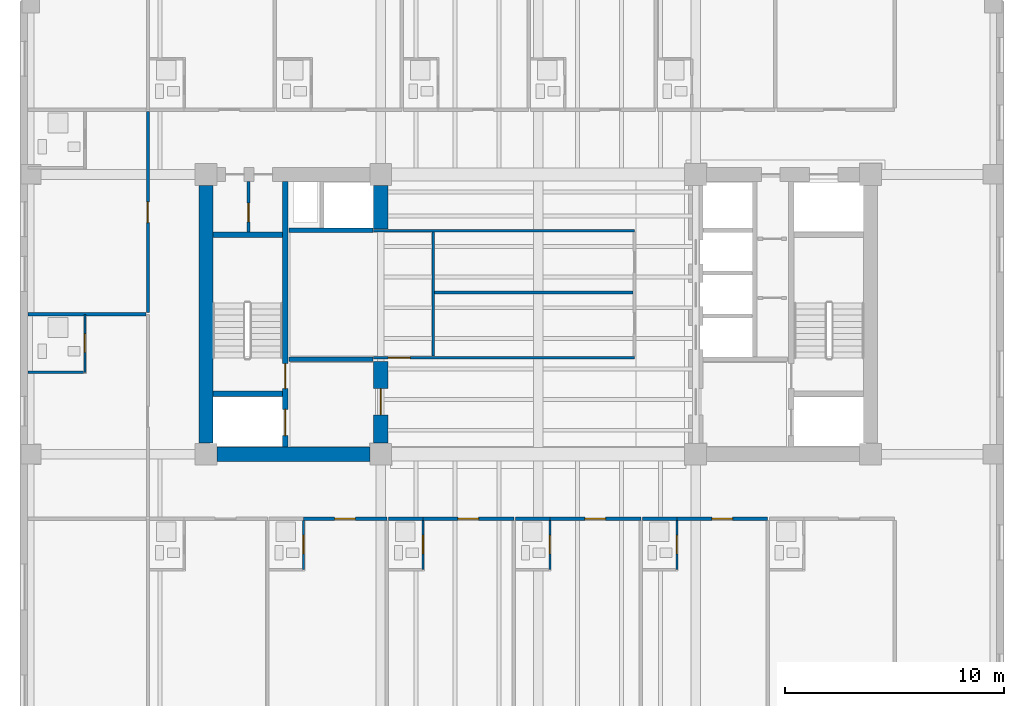
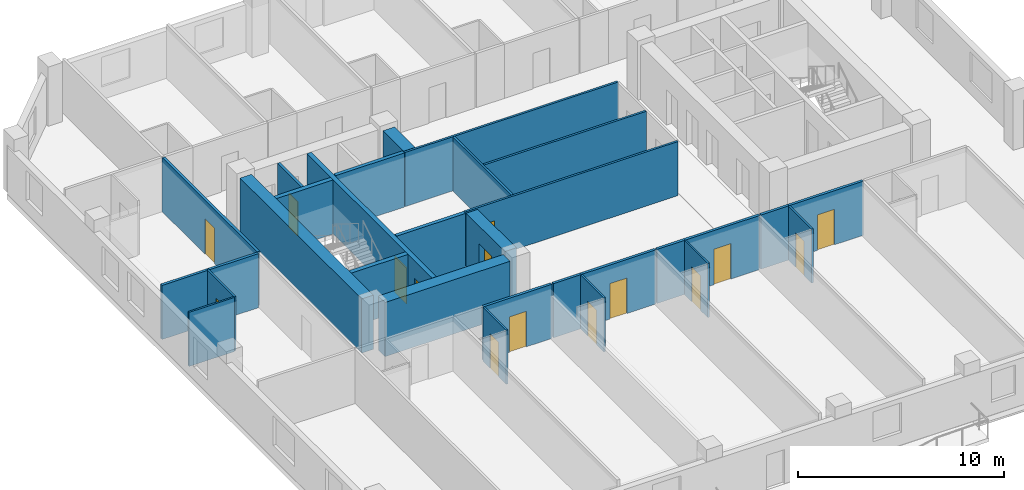
# One storey, part 3 of 11: 29 walls, 15 doors, 15 openings.
"""IFC4 building model written with IfcOpenShell, lengths in metres."""

from ifc_helpers import new_model, si_unit, direction, frame, frame_2d, origin, place, context, subcontext, project, spatial, rectangle, extrude, material, layer, layer_set, type_object, element, fill, save


model = new_model("IFC4")

# Units and contexts
model_context = context("Model", 3, precision=1e-05, world=origin(), true_north=direction((0.0, 1.0)))
body_context = subcontext(model_context, "Body", "Model", "MODEL_VIEW")
ifc_project = project(units=[si_unit("LENGTHUNIT", "METRE"), si_unit("AREAUNIT", "SQUARE_METRE"), si_unit("VOLUMEUNIT", "CUBIC_METRE"), si_unit("PLANEANGLEUNIT", "RADIAN"), si_unit("MASSUNIT", "GRAM", prefix="KILO")], contexts=[model_context])

# Site, building, storey
site_placement = place(None, origin())
site = spatial("IfcSite", under=ifc_project, at=site_placement, CompositionType="ELEMENT")
building_placement = place(site_placement, origin())
building = spatial("IfcBuilding", under=site, at=building_placement, Name="Kranthara Brick Stack", CompositionType="ELEMENT")
storey_placement = place(building_placement, frame((0.0, 0.0, 134.300048828125)))
storey = spatial("IfcBuildingStorey", under=building, at=storey_placement, Name="L33", CompositionType="ELEMENT", Elevation=134.300048828125)

# Wall, openings, doors
ifc_material_1 = material(Name="Concrete C50/60", Category="concrete")
ifc_layer_1 = layer(ifc_material_1, 0.25)
ifc_layer_set_1 = layer_set([ifc_layer_1], Name="Concrete C50/60")
wall_type_1 = type_object("IfcWallType", Name="WL-CORE-250", PredefinedType="SHEAR", material=ifc_layer_set_1)
wall_1_placement = place(storey_placement, frame((16.43505859375, 21.135009765625, 0.0), z_axis=(0.0, 0.0, 1.0), x_axis=(0.0, 1.0, 0.0)))
wall_1 = element("IfcWall", 1, at=wall_1_placement, inside=storey, type_object=wall_type_1, Name="L33 West Core Stair Bearing Spine Wall", PredefinedType="SHEAR", context=body_context, shape_type="SweptSolid", body=[
    extrude(rectangle(XDim=12.1298828125, YDim=0.25, at=frame_2d((6.06494140625, 0.0))), origin(), (0.0, 0.0, 1.0), 3.199951171875),
])
opening_1_placement = place(wall_1_placement, frame((0.514892578125, 0.0, 0.0)))
opening_1 = element("IfcOpeningElement", 2, at=opening_1_placement, cuts=wall_1, Name="Opening LD01", PredefinedType="OPENING", context=body_context, shape_type="SweptSolid", body=[
    extrude(rectangle(XDim=1.199951171875, YDim=2.14990234375, at=frame_2d((0.60009765625, 1.074951171875))), frame((0.0, 0.135009765625, 0.0), z_axis=(0.0, -1.0, 0.0), x_axis=(1.0, 0.0, 0.0)), (0.0, 0.0, 1.0), 0.27001953125),
])
opening_2_placement = place(wall_1_placement, frame((2.6650390625, 0.0, 0.0)))
opening_2 = element("IfcOpeningElement", 3, at=opening_2_placement, cuts=wall_1, Name="Opening D05", PredefinedType="OPENING", context=body_context, shape_type="SweptSolid", body=[
    extrude(rectangle(XDim=1.14990234375, YDim=2.14990234375, at=frame_2d((0.574951171875, 1.074951171875))), frame((0.0, 0.135009765625, 0.0), z_axis=(0.0, -1.0, 0.0), x_axis=(1.0, 0.0, 0.0)), (0.0, 0.0, 1.0), 0.27001953125),
])
ifc_material_2 = material(Name="Stainless steel sliding landing door", Category="steel")
door_type_1 = type_object("IfcDoorType", Name="DR-LD-FF1200", OperationType="DOUBLE_DOOR_SLIDING", PredefinedType="DOOR", material=ifc_material_2)
door_1_placement = place(opening_1_placement, origin())
door_1 = element("IfcDoor", 4, at=door_1_placement, inside=storey, type_object=door_type_1, Name="L33 Firefighting Lift FF-01 Landing Door", OperationType="DOUBLE_DOOR_SLIDING", OverallHeight=2.14990234375, OverallWidth=1.199951171875, PredefinedType="DOOR", context=body_context, shape_type="SweptSolid", body=[
    extrude(rectangle(XDim=1.199951171875, YDim=2.14990234375, at=frame_2d((0.60009765625, 1.074951171875))), frame((0.0, 0.02490234375, 0.0), z_axis=(0.0, -1.0, 0.0), x_axis=(1.0, 0.0, 0.0)), (0.0, 0.0, 1.0), 0.050048828125),
])
fill(opening_1, door_1)
ifc_material_3 = material(Name="Solid-core hardwood timber leaf in steel frame", Category="steel")
door_type_2 = type_object("IfcDoorType", Name="DR-ST-1150", OperationType="NOTDEFINED", PredefinedType="DOOR", material=ifc_material_3)
door_2_placement = place(opening_2_placement, origin())
door_2 = element("IfcDoor", 5, at=door_2_placement, inside=storey, type_object=door_type_2, Name="L33 Exit Stair ST01 Door", OperationType="SINGLE_SWING_RIGHT", OverallHeight=2.14990234375, OverallWidth=1.14990234375, PredefinedType="DOOR", context=body_context, shape_type="SweptSolid", body=[
    extrude(rectangle(XDim=1.14990234375, YDim=2.14990234375, at=frame_2d((0.574951171875, 1.074951171875))), frame((0.0, 0.02490234375, 0.0), z_axis=(0.0, -1.0, 0.0), x_axis=(1.0, 0.0, 0.0)), (0.0, 0.0, 1.0), 0.050048828125),
])
fill(opening_2, door_2)

# Walls
for number, where, z_axis, x_axis, name in (
    (6, (13.135009765625, 23.570068359375, 0.0), (0.0, 0.0, 1.0), (1.0, 0.0, 0.0), "L33 West Stairwell Bearing Wall WFF"),
    (7, (13.135009765625, 30.830078125, 0.0), (0.0, 0.0, 1.0), (1.0, 0.0, 0.0), "L33 West Stairwell Bearing Wall WST"),
):
    element("IfcWall", number, at=place(storey_placement, frame(where, z_axis=z_axis, x_axis=x_axis)), inside=storey, type_object=wall_type_1, Name=name, PredefinedType="SHEAR", context=body_context, shape_type="SweptSolid", body=[
        extrude(rectangle(XDim=3.175048828125, YDim=0.25, at=frame_2d((1.58740234375, 0.0))), origin(), (0.0, 0.0, 1.0), 3.199951171875),
    ])
ifc_material_4 = material(Name="Concrete C60/75", Category="concrete")
ifc_layer_2 = layer(ifc_material_4, 0.64990234375)
ifc_layer_set_2 = layer_set([ifc_layer_2], Name="Concrete C60/75")
wall_type_2 = type_object("IfcWallType", Name="WL-CORE-650", PredefinedType="SHEAR", material=ifc_layer_set_2)
wall_2_placement = place(storey_placement, frame((12.800048828125, 21.304931640625, 0.0), z_axis=(0.0, 0.0, 1.0), x_axis=(0.0, 1.0, 0.0)))
element("IfcWall", 8, at=wall_2_placement, inside=storey, type_object=wall_type_2, Name="L33 West Core Shear Wall West", PredefinedType="SHEAR", context=body_context, shape_type="SweptSolid", body=[
    extrude(rectangle(XDim=11.7900390625, YDim=0.64990234375, at=frame_2d((5.89501953125, 0.0))), origin(), (0.0, 0.0, 1.0), 3.199951171875),
])
wall_3_placement = place(storey_placement, frame((13.304931640625, 20.800048828125, 0.0), z_axis=(0.0, 0.0, 1.0), x_axis=(1.0, 0.0, 0.0)))
element("IfcWall", 9, at=wall_3_placement, inside=storey, type_object=wall_type_2, Name="L33 West Core Shear Wall South", PredefinedType="SHEAR", context=body_context, shape_type="SweptSolid", body=[
    extrude(rectangle(XDim=6.989990234375, YDim=0.64990234375, at=frame_2d((3.4951171875, 0.0))), origin(), (0.0, 0.0, 1.0), 3.199951171875),
])

# Wall, opening, door
wall_4_placement = place(storey_placement, frame((20.800048828125, 21.304931640625, 0.0), z_axis=(0.0, 0.0, 1.0), x_axis=(0.0, 1.0, 0.0)))
wall_4 = element("IfcWall", 10, at=wall_4_placement, inside=storey, type_object=wall_type_2, Name="L33 West Core Lobby Shear Wall", PredefinedType="SHEAR", context=body_context, shape_type="SweptSolid", body=[
    extrude(rectangle(XDim=3.7451171875, YDim=0.64990234375, at=frame_2d((1.87255859375, 0.0))), origin(), (0.0, 0.0, 1.0), 3.199951171875),
])
opening_3_placement = place(wall_4_placement, frame((1.294921875, 0.0, 0.0)))
opening_3 = element("IfcOpeningElement", 11, at=opening_3_placement, cuts=wall_4, Name="Opening D06", PredefinedType="OPENING", context=body_context, shape_type="SweptSolid", body=[
    extrude(rectangle(XDim=1.199951171875, YDim=2.14990234375, at=frame_2d((0.60009765625, 1.074951171875))), frame((0.0, 0.3349609375, 0.0), z_axis=(0.0, -1.0, 0.0), x_axis=(1.0, 0.0, 0.0)), (0.0, 0.0, 1.0), 0.669921875),
])
ifc_material_5 = material(Name="Solid-core hardwood timber leaf in steel frame", Category="steel")
door_type_3 = type_object("IfcDoorType", Name="DR-FFL-1200", OperationType="NOTDEFINED", PredefinedType="DOOR", material=ifc_material_5)
door_3_placement = place(opening_3_placement, origin())
door_3 = element("IfcDoor", 12, at=door_3_placement, inside=storey, type_object=door_type_3, Name="L33 West Firefighting Lobby Door", OperationType="SINGLE_SWING_LEFT", OverallHeight=2.14990234375, OverallWidth=1.199951171875, PredefinedType="DOOR", context=body_context, shape_type="SweptSolid", body=[
    extrude(rectangle(XDim=1.199951171875, YDim=2.14990234375, at=frame_2d((0.60009765625, 1.074951171875))), frame((0.0, 0.02490234375, 0.0), z_axis=(0.0, -1.0, 0.0), x_axis=(1.0, 0.0, 0.0)), (0.0, 0.0, 1.0), 0.050048828125),
])
fill(opening_3, door_3)

# Wall
wall_5_placement = place(storey_placement, frame((20.800048828125, 31.10009765625, 0.0), z_axis=(0.0, 0.0, 1.0), x_axis=(0.0, 1.0, 0.0)))
element("IfcWall", 13, at=wall_5_placement, inside=storey, type_object=wall_type_2, Name="L33 West Core High-Rise Lift Wall", PredefinedType="SHEAR", context=body_context, shape_type="SweptSolid", body=[
    extrude(rectangle(XDim=1.994873046875, YDim=0.64990234375, at=frame_2d((0.99755859375, 0.0))), origin(), (0.0, 0.0, 1.0), 3.199951171875),
])

# Wall, opening, door
ifc_material_6 = material(Name="Moisture-resistant wet-room partition", Category="other")
ifc_layer_3 = layer(ifc_material_6, 0.10009765625)
ifc_layer_set_3 = layer_set([ifc_layer_3], Name="Moisture-resistant wet-room partition")
wall_type_3 = type_object("IfcWallType", Name="WL-PART-100", PredefinedType="PARTITIONING", material=ifc_layer_set_3)
wall_6_placement = place(storey_placement, frame((17.263916015625, 15.52001953125, 0.0), z_axis=(0.0, 0.0, 1.0), x_axis=(0.0, 1.0, 0.0)))
wall_6 = element("IfcWall", 14, at=wall_6_placement, inside=storey, type_object=wall_type_3, Name="L33 Interior Partition 017", PredefinedType="PARTITIONING", context=body_context, shape_type="SweptSolid", body=[
    extrude(rectangle(XDim=2.25, YDim=0.10009765625, at=frame_2d((1.125, 0.0))), origin(), (0.0, 0.0, 1.0), 3.199951171875),
])
opening_4_placement = place(wall_6_placement, frame((0.719970703125, 0.0, 0.0)))
opening_4 = element("IfcOpeningElement", 15, at=opening_4_placement, cuts=wall_6, Name="Opening D17", PredefinedType="OPENING", context=body_context, shape_type="SweptSolid", body=[
    extrude(rectangle(XDim=0.85009765625, YDim=2.050048828125, at=frame_2d((0.425048828125, 1.02490234375))), frame((0.0, 0.06005859375, 0.0), z_axis=(0.0, -1.0, 0.0), x_axis=(1.0, 0.0, 0.0)), (0.0, 0.0, 1.0), 0.1201171875),
])
ifc_material_7 = material(Name="Solid-core hardwood timber leaf in steel frame", Category="steel")
door_type_4 = type_object("IfcDoorType", Name="DR-WET-850", OperationType="NOTDEFINED", PredefinedType="DOOR", material=ifc_material_7)
door_4_placement = place(opening_4_placement, origin())
door_4 = element("IfcDoor", 16, at=door_4_placement, inside=storey, type_object=door_type_4, Name="L33 Key 02 En-Suite Door 09", OperationType="SINGLE_SWING_LEFT", OverallHeight=2.050048828125, OverallWidth=0.85009765625, PredefinedType="DOOR", context=body_context, shape_type="SweptSolid", body=[
    extrude(rectangle(XDim=0.85009765625, YDim=2.050048828125, at=frame_2d((0.425048828125, 1.02490234375))), frame((0.0, 0.02490234375, 0.0), z_axis=(0.0, -1.0, 0.0), x_axis=(1.0, 0.0, 0.0)), (0.0, 0.0, 1.0), 0.050048828125),
])
fill(opening_4, door_4)

wall_7_placement = place(storey_placement, frame((22.72802734375, 15.52001953125, 0.0), z_axis=(0.0, 0.0, 1.0), x_axis=(0.0, 1.0, 0.0)))
wall_7 = element("IfcWall", 17, at=wall_7_placement, inside=storey, type_object=wall_type_3, Name="L33 Interior Partition 022", PredefinedType="PARTITIONING", context=body_context, shape_type="SweptSolid", body=[
    extrude(rectangle(XDim=2.25, YDim=0.10009765625, at=frame_2d((1.125, 0.0))), origin(), (0.0, 0.0, 1.0), 3.199951171875),
])
opening_5_placement = place(wall_7_placement, frame((0.719970703125, 0.0, 0.0)))
opening_5 = element("IfcOpeningElement", 18, at=opening_5_placement, cuts=wall_7, Name="Opening D17", PredefinedType="OPENING", context=body_context, shape_type="SweptSolid", body=[
    extrude(rectangle(XDim=0.85009765625, YDim=2.050048828125, at=frame_2d((0.425048828125, 1.02490234375))), frame((0.0, 0.06005859375, 0.0), z_axis=(0.0, -1.0, 0.0), x_axis=(1.0, 0.0, 0.0)), (0.0, 0.0, 1.0), 0.1201171875),
])
door_5_placement = place(opening_5_placement, origin())
door_5 = element("IfcDoor", 19, at=door_5_placement, inside=storey, type_object=door_type_4, Name="L33 Key 03 En-Suite Door 11", OperationType="SINGLE_SWING_LEFT", OverallHeight=2.050048828125, OverallWidth=0.85009765625, PredefinedType="DOOR", context=body_context, shape_type="SweptSolid", body=[
    extrude(rectangle(XDim=0.85009765625, YDim=2.050048828125, at=frame_2d((0.425048828125, 1.02490234375))), frame((0.0, 0.02490234375, 0.0), z_axis=(0.0, -1.0, 0.0), x_axis=(1.0, 0.0, 0.0)), (0.0, 0.0, 1.0), 0.050048828125),
])
fill(opening_5, door_5)

wall_8_placement = place(storey_placement, frame((28.532958984375, 15.52001953125, 0.0), z_axis=(0.0, 0.0, 1.0), x_axis=(0.0, 1.0, 0.0)))
wall_8 = element("IfcWall", 20, at=wall_8_placement, inside=storey, type_object=wall_type_3, Name="L33 Interior Partition 027", PredefinedType="PARTITIONING", context=body_context, shape_type="SweptSolid", body=[
    extrude(rectangle(XDim=2.25, YDim=0.10009765625, at=frame_2d((1.125, 0.0))), origin(), (0.0, 0.0, 1.0), 3.199951171875),
])
opening_6_placement = place(wall_8_placement, frame((0.719970703125, 0.0, 0.0)))
opening_6 = element("IfcOpeningElement", 21, at=opening_6_placement, cuts=wall_8, Name="Opening D17", PredefinedType="OPENING", context=body_context, shape_type="SweptSolid", body=[
    extrude(rectangle(XDim=0.85009765625, YDim=2.050048828125, at=frame_2d((0.425048828125, 1.02490234375))), frame((0.0, 0.06005859375, 0.0), z_axis=(0.0, -1.0, 0.0), x_axis=(1.0, 0.0, 0.0)), (0.0, 0.0, 1.0), 0.1201171875),
])
door_6_placement = place(opening_6_placement, origin())
door_6 = element("IfcDoor", 22, at=door_6_placement, inside=storey, type_object=door_type_4, Name="L33 Key 04 En-Suite Door 13", OperationType="SINGLE_SWING_LEFT", OverallHeight=2.050048828125, OverallWidth=0.85009765625, PredefinedType="DOOR", context=body_context, shape_type="SweptSolid", body=[
    extrude(rectangle(XDim=0.85009765625, YDim=2.050048828125, at=frame_2d((0.425048828125, 1.02490234375))), frame((0.0, 0.02490234375, 0.0), z_axis=(0.0, -1.0, 0.0), x_axis=(1.0, 0.0, 0.0)), (0.0, 0.0, 1.0), 0.050048828125),
])
fill(opening_6, door_6)

wall_9_placement = place(storey_placement, frame((34.339111328125, 15.52001953125, 0.0), z_axis=(0.0, 0.0, 1.0), x_axis=(0.0, 1.0, 0.0)))
wall_9 = element("IfcWall", 23, at=wall_9_placement, inside=storey, type_object=wall_type_3, Name="L33 Interior Partition 032", PredefinedType="PARTITIONING", context=body_context, shape_type="SweptSolid", body=[
    extrude(rectangle(XDim=2.25, YDim=0.10009765625, at=frame_2d((1.125, 0.0))), origin(), (0.0, 0.0, 1.0), 3.199951171875),
])
opening_7_placement = place(wall_9_placement, frame((0.719970703125, 0.0, 0.0)))
opening_7 = element("IfcOpeningElement", 24, at=opening_7_placement, cuts=wall_9, Name="Opening D17", PredefinedType="OPENING", context=body_context, shape_type="SweptSolid", body=[
    extrude(rectangle(XDim=0.85009765625, YDim=2.050048828125, at=frame_2d((0.425048828125, 1.02490234375))), frame((0.0, 0.06005859375, 0.0), z_axis=(0.0, -1.0, 0.0), x_axis=(1.0, 0.0, 0.0)), (0.0, 0.0, 1.0), 0.1201171875),
])
door_7_placement = place(opening_7_placement, origin())
door_7 = element("IfcDoor", 25, at=door_7_placement, inside=storey, type_object=door_type_4, Name="L33 Key 05 En-Suite Door 15", OperationType="SINGLE_SWING_LEFT", OverallHeight=2.050048828125, OverallWidth=0.85009765625, PredefinedType="DOOR", context=body_context, shape_type="SweptSolid", body=[
    extrude(rectangle(XDim=0.85009765625, YDim=2.050048828125, at=frame_2d((0.425048828125, 1.02490234375))), frame((0.0, 0.02490234375, 0.0), z_axis=(0.0, -1.0, 0.0), x_axis=(1.0, 0.0, 0.0)), (0.0, 0.0, 1.0), 0.050048828125),
])
fill(opening_7, door_7)

wall_10_placement = place(storey_placement, frame((7.27001953125, 24.550048828125, 0.0), z_axis=(0.0, 0.0, 1.0), x_axis=(0.0, 1.0, 0.0)))
wall_10 = element("IfcWall", 26, at=wall_10_placement, inside=storey, type_object=wall_type_3, Name="L33 Interior Partition 071", PredefinedType="PARTITIONING", context=body_context, shape_type="SweptSolid", body=[
    extrude(rectangle(XDim=2.64990234375, YDim=0.10009765625, at=frame_2d((1.324951171875, 0.0))), origin(), (0.0, 0.0, 1.0), 3.199951171875),
])
opening_8_placement = place(wall_10_placement, frame((0.905029296875, 0.0, 0.0)))
opening_8 = element("IfcOpeningElement", 27, at=opening_8_placement, cuts=wall_10, Name="Opening D17", PredefinedType="OPENING", context=body_context, shape_type="SweptSolid", body=[
    extrude(rectangle(XDim=0.85009765625, YDim=2.050048828125, at=frame_2d((0.425048828125, 1.02490234375))), frame((0.0, 0.06005859375, 0.0), z_axis=(0.0, -1.0, 0.0), x_axis=(1.0, 0.0, 0.0)), (0.0, 0.0, 1.0), 0.1201171875),
])
door_8_placement = place(opening_8_placement, origin())
door_8 = element("IfcDoor", 28, at=door_8_placement, inside=storey, type_object=door_type_4, Name="L33 West Key 13 Bath 30", OperationType="SINGLE_SWING_RIGHT", OverallHeight=2.050048828125, OverallWidth=0.85009765625, PredefinedType="DOOR", context=body_context, shape_type="SweptSolid", body=[
    extrude(rectangle(XDim=0.85009765625, YDim=2.050048828125, at=frame_2d((0.425048828125, 1.02490234375))), frame((0.0, 0.02490234375, 0.0), z_axis=(0.0, -1.0, 0.0), x_axis=(1.0, 0.0, 0.0)), (0.0, 0.0, 1.0), 0.050048828125),
])
fill(opening_8, door_8)

# Wall
wall_11_placement = place(storey_placement, frame((4.675048828125, 24.550048828125, 0.0), z_axis=(0.0, 0.0, 1.0), x_axis=(1.0, 0.0, 0.0)))
element("IfcWall", 29, at=wall_11_placement, inside=storey, type_object=wall_type_3, Name="L33 Interior Partition 072", PredefinedType="PARTITIONING", context=body_context, shape_type="SweptSolid", body=[
    extrude(rectangle(XDim=2.5400390625, YDim=0.10009765625, at=frame_2d((1.27001953125, 0.0))), origin(), (0.0, 0.0, 1.0), 3.199951171875),
])

# Wall, opening, door
ifc_material_8 = material(Name="Acoustic gypsum plasterboard partition", Category="other")
ifc_layer_4 = layer(ifc_material_8, 0.1201171875)
ifc_layer_set_4 = layer_set([ifc_layer_4], Name="Acoustic gypsum plasterboard partition")
wall_type_4 = type_object("IfcWallType", Name="WL-PART-120", PredefinedType="PARTITIONING", material=ifc_layer_set_4)
wall_12_placement = place(storey_placement, frame((20.4599609375, 25.219970703125, 0.0), z_axis=(0.0, 0.0, 1.0), x_axis=(1.0, 0.0, 0.0)))
wall_12 = element("IfcWall", 30, at=wall_12_placement, inside=storey, type_object=wall_type_4, Name="L33 Interior Partition 004", PredefinedType="PARTITIONING", context=body_context, shape_type="SweptSolid", body=[
    extrude(rectangle(XDim=11.93994140625, YDim=0.1201171875, at=frame_2d((5.969970703125, 0.0))), origin(), (0.0, 0.0, 1.0), 3.199951171875),
])
opening_9_placement = place(wall_12_placement, frame((0.679931640625, 0.0, 0.0)))
opening_9 = element("IfcOpeningElement", 31, at=opening_9_placement, cuts=wall_12, Name="Opening D13", PredefinedType="OPENING", context=body_context, shape_type="SweptSolid", body=[
    extrude(rectangle(XDim=1.0, YDim=2.10009765625, at=frame_2d((0.5, 1.050048828125))), frame((0.0, 0.070068359375, 0.0), z_axis=(0.0, -1.0, 0.0), x_axis=(1.0, 0.0, 0.0)), (0.0, 0.0, 1.0), 0.14013671875),
])
ifc_material_9 = material(Name="Solid-core hardwood timber leaf in steel frame", Category="steel")
door_type_5 = type_object("IfcDoorType", Name="DR-INT-1000", OperationType="NOTDEFINED", PredefinedType="DOOR", material=ifc_material_9)
door_9_placement = place(opening_9_placement, origin())
door_9 = element("IfcDoor", 32, at=door_9_placement, inside=storey, type_object=door_type_5, Name="L33 Hotel Study Door 04", OperationType="SINGLE_SWING_RIGHT", OverallHeight=2.10009765625, OverallWidth=1.0, PredefinedType="DOOR", context=body_context, shape_type="SweptSolid", body=[
    extrude(rectangle(XDim=1.0, YDim=2.10009765625, at=frame_2d((0.5, 1.050048828125))), frame((0.0, 0.02490234375, 0.0), z_axis=(0.0, -1.0, 0.0), x_axis=(1.0, 0.0, 0.0)), (0.0, 0.0, 1.0), 0.050048828125),
])
fill(opening_9, door_9)

# Walls
wall_13_placement = place(storey_placement, frame((20.4599609375, 31.02001953125, 0.0), z_axis=(0.0, 0.0, 1.0), x_axis=(1.0, 0.0, 0.0)))
element("IfcWall", 33, at=wall_13_placement, inside=storey, type_object=wall_type_4, Name="L33 Interior Partition 005", PredefinedType="PARTITIONING", context=body_context, shape_type="SweptSolid", body=[
    extrude(rectangle(XDim=11.93994140625, YDim=0.1201171875, at=frame_2d((5.969970703125, 0.0))), origin(), (0.0, 0.0, 1.0), 3.199951171875),
])
wall_14_placement = place(storey_placement, frame((23.199951171875, 25.284912109375, 0.0), z_axis=(0.0, 0.0, 1.0), x_axis=(0.0, 1.0, 0.0)))
element("IfcWall", 34, at=wall_14_placement, inside=storey, type_object=wall_type_4, Name="L33 Interior Partition 007", PredefinedType="PARTITIONING", context=body_context, shape_type="SweptSolid", body=[
    extrude(rectangle(XDim=5.670166015625, YDim=0.1201171875, at=frame_2d((2.8349609375, 0.0))), origin(), (0.0, 0.0, 1.0), 3.199951171875),
])
wall_15_placement = place(storey_placement, frame((23.264892578125, 28.199951171875, 0.0), z_axis=(0.0, 0.0, 1.0), x_axis=(1.0, 0.0, 0.0)))
element("IfcWall", 35, at=wall_15_placement, inside=storey, type_object=wall_type_4, Name="L33 Interior Partition 008", PredefinedType="PARTITIONING", context=body_context, shape_type="SweptSolid", body=[
    extrude(rectangle(XDim=9.070068359375, YDim=0.1201171875, at=frame_2d((4.53515625, 0.0))), origin(), (0.0, 0.0, 1.0), 3.199951171875),
])

# Wall, opening, door
ifc_material_10 = material(Name="Fire-rated gypsum board partition", Category="other")
ifc_layer_5 = layer(ifc_material_10, 0.14990234375)
ifc_layer_set_5 = layer_set([ifc_layer_5], Name="Fire-rated gypsum board partition")
wall_type_5 = type_object("IfcWallType", Name="WL-PART-150", PredefinedType="PARTITIONING", material=ifc_layer_set_5)
wall_16_placement = place(storey_placement, frame((14.75, 30.9599609375, 0.0), z_axis=(0.0, 0.0, 1.0), x_axis=(0.0, 1.0, 0.0)))
wall_16 = element("IfcWall", 36, at=wall_16_placement, inside=storey, type_object=wall_type_5, Name="L33 Interior Partition 001", PredefinedType="PARTITIONING", context=body_context, shape_type="SweptSolid", body=[
    extrude(rectangle(XDim=2.31005859375, YDim=0.14990234375, at=frame_2d((1.155029296875, 0.0))), origin(), (0.0, 0.0, 1.0), 3.199951171875),
])
opening_10_placement = place(wall_16_placement, frame((0.469970703125, 0.0, 0.0)))
opening_10 = element("IfcOpeningElement", 37, at=opening_10_placement, cuts=wall_16, Name="Opening D10", PredefinedType="OPENING", context=body_context, shape_type="SweptSolid", body=[
    extrude(rectangle(XDim=0.85009765625, YDim=2.02001953125, at=frame_2d((0.425048828125, 1.010009765625))), frame((0.0, 0.0849609375, 0.0), z_axis=(0.0, -1.0, 0.0), x_axis=(1.0, 0.0, 0.0)), (0.0, 0.0, 1.0), 0.169921875),
])
ifc_material_11 = material(Name="Solid-core hardwood timber leaf in steel frame", Category="steel")
door_type_6 = type_object("IfcDoorType", Name="DR-RSR-850", OperationType="NOTDEFINED", PredefinedType="DOOR", material=ifc_material_11)
door_10_placement = place(opening_10_placement, origin())
door_10 = element("IfcDoor", 38, at=door_10_placement, inside=storey, type_object=door_type_6, Name="L33 Service Interconnect 01", OperationType="SINGLE_SWING_LEFT", OverallHeight=2.02001953125, OverallWidth=0.85009765625, PredefinedType="DOOR", context=body_context, shape_type="SweptSolid", body=[
    extrude(rectangle(XDim=0.85009765625, YDim=2.02001953125, at=frame_2d((0.425048828125, 1.010009765625))), frame((0.0, 0.02490234375, 0.0), z_axis=(0.0, -1.0, 0.0), x_axis=(1.0, 0.0, 0.0)), (0.0, 0.0, 1.0), 0.050048828125),
])
fill(opening_10, door_10)

wall_17_placement = place(storey_placement, frame((17.263916015625, 17.85009765625, 0.0), z_axis=(0.0, 0.0, 1.0), x_axis=(1.0, 0.0, 0.0)))
wall_17 = element("IfcWall", 39, at=wall_17_placement, inside=storey, type_object=wall_type_5, Name="L33 Interior Partition 016", PredefinedType="PARTITIONING", context=body_context, shape_type="SweptSolid", body=[
    extrude(rectangle(XDim=3.81396484375, YDim=0.14990234375, at=frame_2d((1.906982421875, 0.0))), origin(), (0.0, 0.0, 1.0), 3.199951171875),
])
opening_11_placement = place(wall_17_placement, frame((1.427001953125, 0.0, 0.0)))
opening_11 = element("IfcOpeningElement", 40, at=opening_11_placement, cuts=wall_17, Name="Opening D09", PredefinedType="OPENING", context=body_context, shape_type="SweptSolid", body=[
    extrude(rectangle(XDim=0.949951171875, YDim=2.10009765625, at=frame_2d((0.47509765625, 1.050048828125))), frame((0.0, 0.0849609375, 0.0), z_axis=(0.0, -1.0, 0.0), x_axis=(1.0, 0.0, 0.0)), (0.0, 0.0, 1.0), 0.169921875),
])
ifc_material_12 = material(Name="Solid-core hardwood timber leaf in steel frame", Category="steel")
door_type_7 = type_object("IfcDoorType", Name="DR-FD-950", OperationType="NOTDEFINED", PredefinedType="DOOR", material=ifc_material_12)
door_11_placement = place(opening_11_placement, origin())
door_11 = element("IfcDoor", 41, at=door_11_placement, inside=storey, type_object=door_type_7, Name="L33 Key 02 Entry 10", OperationType="SINGLE_SWING_RIGHT", OverallHeight=2.10009765625, OverallWidth=0.949951171875, PredefinedType="DOOR", context=body_context, shape_type="SweptSolid", body=[
    extrude(rectangle(XDim=0.949951171875, YDim=2.10009765625, at=frame_2d((0.47509765625, 1.050048828125))), frame((0.0, 0.02490234375, 0.0), z_axis=(0.0, -1.0, 0.0), x_axis=(1.0, 0.0, 0.0)), (0.0, 0.0, 1.0), 0.050048828125),
])
fill(opening_11, door_11)

# Wall
wall_18_placement = place(storey_placement, frame((21.157958984375, 17.85009765625, 0.0), z_axis=(0.0, 0.0, 1.0), x_axis=(1.0, 0.0, 0.0)))
element("IfcWall", 42, at=wall_18_placement, inside=storey, type_object=wall_type_5, Name="L33 Interior Partition 020", PredefinedType="PARTITIONING", context=body_context, shape_type="SweptSolid", body=[
    extrude(rectangle(XDim=1.570068359375, YDim=0.14990234375, at=frame_2d((0.78515625, 0.0))), origin(), (0.0, 0.0, 1.0), 3.199951171875),
])

# Wall, opening, door
wall_19_placement = place(storey_placement, frame((22.72802734375, 17.85009765625, 0.0), z_axis=(0.0, 0.0, 1.0), x_axis=(1.0, 0.0, 0.0)))
wall_19 = element("IfcWall", 43, at=wall_19_placement, inside=storey, type_object=wall_type_5, Name="L33 Interior Partition 021", PredefinedType="PARTITIONING", context=body_context, shape_type="SweptSolid", body=[
    extrude(rectangle(XDim=4.155029296875, YDim=0.14990234375, at=frame_2d((2.07763671875, 0.0))), origin(), (0.0, 0.0, 1.0), 3.199951171875),
])
opening_12_placement = place(wall_19_placement, frame((1.596923828125, 0.0, 0.0)))
opening_12 = element("IfcOpeningElement", 44, at=opening_12_placement, cuts=wall_19, Name="Opening D09", PredefinedType="OPENING", context=body_context, shape_type="SweptSolid", body=[
    extrude(rectangle(XDim=0.949951171875, YDim=2.10009765625, at=frame_2d((0.47509765625, 1.050048828125))), frame((0.0, 0.0849609375, 0.0), z_axis=(0.0, -1.0, 0.0), x_axis=(1.0, 0.0, 0.0)), (0.0, 0.0, 1.0), 0.169921875),
])
door_12_placement = place(opening_12_placement, origin())
door_12 = element("IfcDoor", 45, at=door_12_placement, inside=storey, type_object=door_type_7, Name="L33 Key 03 Entry 12", OperationType="SINGLE_SWING_RIGHT", OverallHeight=2.10009765625, OverallWidth=0.949951171875, PredefinedType="DOOR", context=body_context, shape_type="SweptSolid", body=[
    extrude(rectangle(XDim=0.949951171875, YDim=2.10009765625, at=frame_2d((0.47509765625, 1.050048828125))), frame((0.0, 0.02490234375, 0.0), z_axis=(0.0, -1.0, 0.0), x_axis=(1.0, 0.0, 0.0)), (0.0, 0.0, 1.0), 0.050048828125),
])
fill(opening_12, door_12)

# Wall
wall_20_placement = place(storey_placement, frame((26.962890625, 17.85009765625, 0.0), z_axis=(0.0, 0.0, 1.0), x_axis=(1.0, 0.0, 0.0)))
element("IfcWall", 46, at=wall_20_placement, inside=storey, type_object=wall_type_5, Name="L33 Interior Partition 025", PredefinedType="PARTITIONING", context=body_context, shape_type="SweptSolid", body=[
    extrude(rectangle(XDim=1.570068359375, YDim=0.14990234375, at=frame_2d((0.78515625, 0.0))), origin(), (0.0, 0.0, 1.0), 3.199951171875),
])

# Wall, opening, door
wall_21_placement = place(storey_placement, frame((28.532958984375, 17.85009765625, 0.0), z_axis=(0.0, 0.0, 1.0), x_axis=(1.0, 0.0, 0.0)))
wall_21 = element("IfcWall", 47, at=wall_21_placement, inside=storey, type_object=wall_type_5, Name="L33 Interior Partition 026", PredefinedType="PARTITIONING", context=body_context, shape_type="SweptSolid", body=[
    extrude(rectangle(XDim=4.156005859375, YDim=0.14990234375, at=frame_2d((2.078125, 0.0))), origin(), (0.0, 0.0, 1.0), 3.199951171875),
])
opening_13_placement = place(wall_21_placement, frame((1.597900390625, 0.0, 0.0)))
opening_13 = element("IfcOpeningElement", 48, at=opening_13_placement, cuts=wall_21, Name="Opening D09", PredefinedType="OPENING", context=body_context, shape_type="SweptSolid", body=[
    extrude(rectangle(XDim=0.949951171875, YDim=2.10009765625, at=frame_2d((0.47509765625, 1.050048828125))), frame((0.0, 0.0849609375, 0.0), z_axis=(0.0, -1.0, 0.0), x_axis=(1.0, 0.0, 0.0)), (0.0, 0.0, 1.0), 0.169921875),
])
door_13_placement = place(opening_13_placement, origin())
door_13 = element("IfcDoor", 49, at=door_13_placement, inside=storey, type_object=door_type_7, Name="L33 Key 04 Entry 14", OperationType="SINGLE_SWING_RIGHT", OverallHeight=2.10009765625, OverallWidth=0.949951171875, PredefinedType="DOOR", context=body_context, shape_type="SweptSolid", body=[
    extrude(rectangle(XDim=0.949951171875, YDim=2.10009765625, at=frame_2d((0.47509765625, 1.050048828125))), frame((0.0, 0.02490234375, 0.0), z_axis=(0.0, -1.0, 0.0), x_axis=(1.0, 0.0, 0.0)), (0.0, 0.0, 1.0), 0.050048828125),
])
fill(opening_13, door_13)

# Wall
wall_22_placement = place(storey_placement, frame((32.76904296875, 17.85009765625, 0.0), z_axis=(0.0, 0.0, 1.0), x_axis=(1.0, 0.0, 0.0)))
element("IfcWall", 50, at=wall_22_placement, inside=storey, type_object=wall_type_5, Name="L33 Interior Partition 030", PredefinedType="PARTITIONING", context=body_context, shape_type="SweptSolid", body=[
    extrude(rectangle(XDim=1.570068359375, YDim=0.14990234375, at=frame_2d((0.78515625, 0.0))), origin(), (0.0, 0.0, 1.0), 3.199951171875),
])

# Wall, opening, door
wall_23_placement = place(storey_placement, frame((34.339111328125, 17.85009765625, 0.0), z_axis=(0.0, 0.0, 1.0), x_axis=(1.0, 0.0, 0.0)))
wall_23 = element("IfcWall", 51, at=wall_23_placement, inside=storey, type_object=wall_type_5, Name="L33 Interior Partition 031", PredefinedType="PARTITIONING", context=body_context, shape_type="SweptSolid", body=[
    extrude(rectangle(XDim=4.15478515625, YDim=0.14990234375, at=frame_2d((2.077392578125, 0.0))), origin(), (0.0, 0.0, 1.0), 3.199951171875),
])
opening_14_placement = place(wall_23_placement, frame((1.596923828125, 0.0, 0.0)))
opening_14 = element("IfcOpeningElement", 52, at=opening_14_placement, cuts=wall_23, Name="Opening D09", PredefinedType="OPENING", context=body_context, shape_type="SweptSolid", body=[
    extrude(rectangle(XDim=0.949951171875, YDim=2.10009765625, at=frame_2d((0.47509765625, 1.050048828125))), frame((0.0, 0.0849609375, 0.0), z_axis=(0.0, -1.0, 0.0), x_axis=(1.0, 0.0, 0.0)), (0.0, 0.0, 1.0), 0.169921875),
])
door_14_placement = place(opening_14_placement, origin())
door_14 = element("IfcDoor", 53, at=door_14_placement, inside=storey, type_object=door_type_7, Name="L33 Key 05 Entry 16", OperationType="SINGLE_SWING_RIGHT", OverallHeight=2.10009765625, OverallWidth=0.949951171875, PredefinedType="DOOR", context=body_context, shape_type="SweptSolid", body=[
    extrude(rectangle(XDim=0.949951171875, YDim=2.10009765625, at=frame_2d((0.47509765625, 1.050048828125))), frame((0.0, 0.02490234375, 0.0), z_axis=(0.0, -1.0, 0.0), x_axis=(1.0, 0.0, 0.0)), (0.0, 0.0, 1.0), 0.050048828125),
])
fill(opening_14, door_14)

# Wall
wall_24_placement = place(storey_placement, frame((4.675048828125, 27.199951171875, 0.0), z_axis=(0.0, 0.0, 1.0), x_axis=(1.0, 0.0, 0.0)))
element("IfcWall", 54, at=wall_24_placement, inside=storey, type_object=wall_type_5, Name="L33 Interior Partition 073", PredefinedType="PARTITIONING", context=body_context, shape_type="SweptSolid", body=[
    extrude(rectangle(XDim=5.39501953125, YDim=0.14990234375, at=frame_2d((2.697509765625, 0.0))), origin(), (0.0, 0.0, 1.0), 3.199951171875),
])

# Wall, opening, door
wall_25_placement = place(storey_placement, frame((10.14990234375, 27.280029296875, 0.0), z_axis=(0.0, 0.0, 1.0), x_axis=(0.0, 1.0, 0.0)))
wall_25 = element("IfcWall", 55, at=wall_25_placement, inside=storey, type_object=wall_type_5, Name="L33 Interior Partition 074", PredefinedType="PARTITIONING", context=body_context, shape_type="SweptSolid", body=[
    extrude(rectangle(XDim=9.18994140625, YDim=0.14990234375, at=frame_2d((4.594970703125, 0.0))), origin(), (0.0, 0.0, 1.0), 3.199951171875),
])
opening_15_placement = place(wall_25_placement, frame((4.114990234375, 0.0, 0.0)))
opening_15 = element("IfcOpeningElement", 56, at=opening_15_placement, cuts=wall_25, Name="Opening D09", PredefinedType="OPENING", context=body_context, shape_type="SweptSolid", body=[
    extrude(rectangle(XDim=0.949951171875, YDim=2.10009765625, at=frame_2d((0.47509765625, 1.050048828125))), frame((0.0, 0.0849609375, 0.0), z_axis=(0.0, -1.0, 0.0), x_axis=(1.0, 0.0, 0.0)), (0.0, 0.0, 1.0), 0.169921875),
])
door_15_placement = place(opening_15_placement, origin())
door_15 = element("IfcDoor", 57, at=door_15_placement, inside=storey, type_object=door_type_7, Name="L33 West Key 14 33", OperationType="SINGLE_SWING_LEFT", OverallHeight=2.10009765625, OverallWidth=0.949951171875, PredefinedType="DOOR", context=body_context, shape_type="SweptSolid", body=[
    extrude(rectangle(XDim=0.949951171875, YDim=2.10009765625, at=frame_2d((0.47509765625, 1.050048828125))), frame((0.0, 0.02490234375, 0.0), z_axis=(0.0, -1.0, 0.0), x_axis=(1.0, 0.0, 0.0)), (0.0, 0.0, 1.0), 0.050048828125),
])
fill(opening_15, door_15)

# Walls
ifc_material_13 = material(Name="Concrete C40/50", Category="concrete")
ifc_layer_6 = layer(ifc_material_13, 0.199951171875)
ifc_layer_set_6 = layer_set([ifc_layer_6], Name="Concrete C40/50")
wall_type_6 = type_object("IfcWallType", Name="WL-PART-200", PredefinedType="SOLIDWALL", material=ifc_layer_set_6)
for number, where, z_axis, x_axis, name in (
    (58, (16.60009765625, 25.14990234375, 0.0), (0.0, 0.0, 1.0), (1.0, 0.0, 0.0), "L33 West Core Cross Wall WFL"),
    (59, (16.60009765625, 31.050048828125, 0.0), (0.0, 0.0, 1.0), (1.0, 0.0, 0.0), "L33 West Core Cross Wall WH4"),
):
    element("IfcWall", number, at=place(storey_placement, frame(where, z_axis=z_axis, x_axis=x_axis)), inside=storey, type_object=wall_type_6, Name=name, PredefinedType="SOLIDWALL", context=body_context, shape_type="SweptSolid", body=[
        extrude(rectangle(XDim=3.849853515625, YDim=0.199951171875, at=frame_2d((1.9248046875, 0.0))), origin(), (0.0, 0.0, 1.0), 3.199951171875),
    ])

save(model, "model.ifc")
